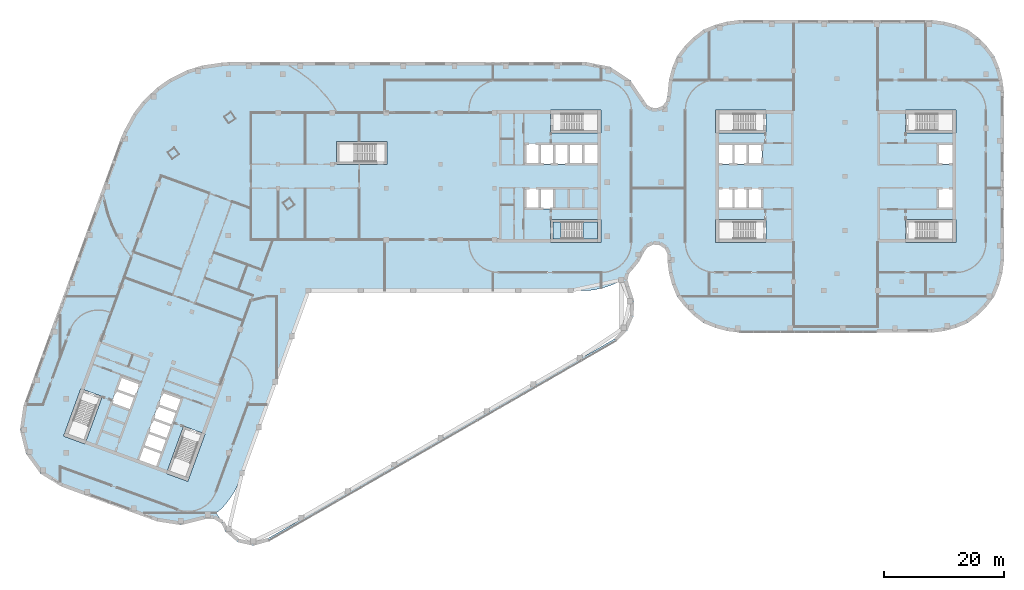
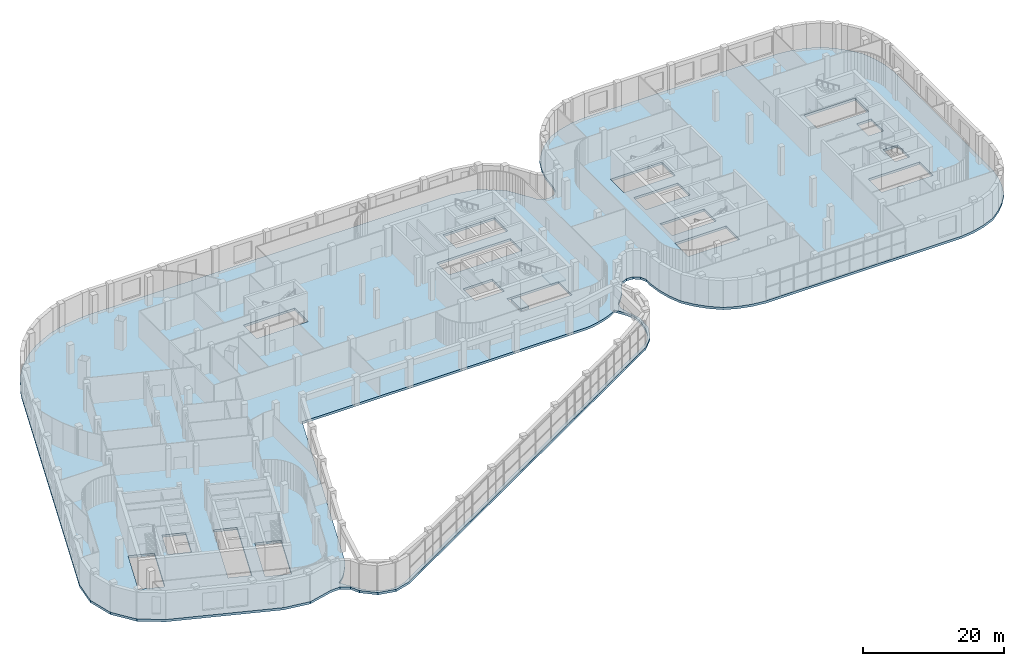
# One storey, part 8 of 25: 3 slabs, 1 element without a shape of its own.
"""IFC4 building model written with IfcOpenShell, lengths in metres."""

from ifc_helpers import new_model, si_unit, direction, frame, origin, place, context, subcontext, project, spatial, polyline, outline, extrude, material, layer, layer_set, type_object, element, aggregate, save


model = new_model("IFC4")

# Units and contexts
model_context = context("Model", 3, precision=1e-05, world=origin(), true_north=direction((0.0, 1.0)))
body_context = subcontext(model_context, "Body", "Model", "MODEL_VIEW")
ifc_project = project(units=[si_unit("LENGTHUNIT", "METRE"), si_unit("AREAUNIT", "SQUARE_METRE"), si_unit("VOLUMEUNIT", "CUBIC_METRE"), si_unit("PLANEANGLEUNIT", "RADIAN"), si_unit("MASSUNIT", "GRAM", prefix="KILO")], contexts=[model_context])

# Site, building, storey
site_placement = place(None, origin())
site = spatial("IfcSite", under=ifc_project, at=site_placement, CompositionType="ELEMENT")
building_placement = place(site_placement, origin())
building = spatial("IfcBuilding", under=site, at=building_placement, Name="Skarvind Civic Tower", CompositionType="ELEMENT")
storey_placement = place(building_placement, frame((0.0, 0.0, 7.5)))
storey = spatial("IfcBuildingStorey", under=building, at=storey_placement, Name="L01", CompositionType="ELEMENT", Elevation=7.5)

# Slabs
ifc_material_1 = material(Name="Concrete C50", Category="concrete")
ifc_layer_1 = layer(ifc_material_1, 0.39990234375)
ifc_layer_set_1 = layer_set([ifc_layer_1], Name="Podium floor slab 400 C50")
slab_type_1 = type_object("IfcSlabType", Name="Podium floor slab 400 C50", PredefinedType="FLOOR", material=ifc_layer_set_1)
slab_1_placement = place(storey_placement, frame((0.0, 0.0, -0.39990234375)))
element("IfcSlab", 1, at=slab_1_placement, inside=storey, type_object=slab_type_1, Name="Podium floor slab L01 1", PredefinedType="FLOOR", context=body_context, shape_type="SweptSolid", body=[
    extrude(outline(polyline([(52.751220703125, 67.291015625), (110.5869140625, 100.577880859375), (112.365234375, 102.4130859375), (113.374267578125, 104.760986328125), (113.4814453125, 107.314208984375), (112.6728515625, 109.73828125), (112.37109375, 110.751953125), (112.6005859375, 111.7841796875), (113.303466796875, 112.57470703125), (114.366455078125, 113.885009765625), (115.1328125, 115.388427734375), (115.75048828125, 116.2119140625), (116.6904296875, 116.63232421875), (117.716064453125, 116.54345703125), (118.56982421875, 115.968017578125), (119.036865234375, 115.05078125), (119.0, 114.021728515625), (119.2783203125, 111.908447265625), (119.8017578125, 109.95458984375), (120.610107421875, 108.001220703125), (121.897705078125, 106.32470703125), (123.32470703125, 104.897705078125), (125.001220703125, 103.610107421875), (126.95458984375, 102.8017578125), (128.908447265625, 102.2783203125), (131.021728515625, 102.0), (162.978271484375, 102.0), (165.091552734375, 102.2783203125), (167.04541015625, 102.8017578125), (168.998779296875, 103.610107421875), (170.67529296875, 104.897705078125), (172.102294921875, 106.32470703125), (173.389892578125, 108.001220703125), (174.1982421875, 109.95458984375), (174.7216796875, 111.908447265625), (175.0, 114.021728515625), (175.0, 141.978271484375), (174.7216796875, 144.091552734375), (174.1982421875, 146.04541015625), (173.389892578125, 147.998779296875), (172.102294921875, 149.67529296875), (170.67529296875, 151.102294921875), (168.998779296875, 152.389892578125), (167.04541015625, 153.1982421875), (165.091552734375, 153.7216796875), (162.978271484375, 154.0), (131.021728515625, 154.0), (128.908447265625, 153.7216796875), (126.95458984375, 153.1982421875), (125.001220703125, 152.389892578125), (123.32470703125, 151.102294921875), (121.897705078125, 149.67529296875), (120.610107421875, 147.998779296875), (119.8017578125, 146.04541015625), (119.2783203125, 144.091552734375), (119.0, 141.328369140625), (118.785400390625, 140.427490234375), (118.18798828125, 139.7197265625), (117.336181640625, 139.356689453125), (116.411865234375, 139.41650390625), (115.613525390625, 139.885986328125), (115.1123046875, 140.664794921875), (112.829345703125, 144.004638671875), (109.44921875, 146.227294921875), (105.478271484375, 147.0), (46.114013671875, 147.0), (44.900390625, 146.910400390625), (41.58837890625, 146.417724609375), (39.1904296875, 145.67041015625), (36.191162109375, 144.19775390625), (34.1337890625, 142.757080078125), (31.72412109375, 140.442626953125), (30.201904296875, 138.44482421875), (28.606201171875, 135.5009765625), (28.10693359375, 134.391357421875), (11.9072265625, 89.883544921875), (11.325439453125, 85.83349609375), (12.311279296875, 81.862548828125), (14.719482421875, 78.554931640625), (18.19580078125, 76.3974609375), (34.129638671875, 70.59814453125), (38.114990234375, 69.990478515625), (42.026611328125, 70.964111328125), (43.532470703125, 71.034423828125), (44.827880859375, 70.263916015625), (45.484619140625, 68.9072265625), (47.523193359375, 67.14111328125), (50.15625, 66.555419921875), (52.751220703125, 67.291015625)]), holes=[polyline([(33.446044921875, 87.660888671875), (34.26708984375, 89.916259765625), (35.087890625, 92.17138671875), (38.28271484375, 91.008544921875), (37.4619140625, 88.75341796875), (36.64111328125, 86.498046875), (35.8203125, 84.242919921875), (35.8203125, 84.242919921875), (34.99951171875, 81.987548828125), (34.178466796875, 79.732421875), (30.983642578125, 80.89501953125), (31.804443359375, 83.150390625), (32.625244140625, 85.40576171875), (32.625244140625, 85.40576171875), (33.446044921875, 87.660888671875)]), polyline([(35.664794921875, 78.552734375), (38.53759765625, 86.4462890625), (42.108642578125, 85.146484375), (39.235595703125, 77.253173828125), (35.664794921875, 78.552734375)]), polyline([(18.5625, 84.777587890625), (21.435302734375, 92.6708984375), (25.006103515625, 91.371337890625), (22.13330078125, 83.477783203125), (18.5625, 84.777587890625)]), polyline([(113.094482421875, 106.90234375), (113.09228515625, 106.4287109375), (113.044921875, 105.95751953125), (112.9130859375, 105.0693359375), (112.8173828125, 104.588134765625), (112.704345703125, 104.13623046875), (112.55810546875, 103.65625), (112.364501953125, 103.193359375), (112.12548828125, 102.752197265625), (111.843505859375, 102.337158203125), (111.521484375, 101.952392578125), (111.162353515625, 101.60205078125), (110.77001953125, 101.289306640625), (110.348388671875, 101.017578125), (52.4912109375, 67.71826171875), (52.051513671875, 67.493408203125), (51.591796875, 67.31298828125), (51.116455078125, 67.1787109375), (50.63037109375, 67.092041015625), (50.137939453125, 67.0537109375), (49.644287109375, 67.064208984375), (49.15380859375, 67.123291015625), (48.671875, 67.230712890625), (48.20263671875, 67.384765625), (47.7509765625, 67.584716796875), (47.3212890625, 67.827880859375), (46.917724609375, 68.112548828125), (46.544189453125, 68.435546875), (46.2041015625, 68.793701171875), (45.9013671875, 69.183837890625), (43.931396484375, 71.9970703125), (44.162841796875, 72.1533203125), (44.804443359375, 72.69140625), (45.385986328125, 73.293701171875), (45.901611328125, 73.95361328125), (46.643798828125, 75.013916015625), (47.018798828125, 75.602294921875), (47.341064453125, 76.221435546875), (47.608154296875, 76.8662109375), (59.303955078125, 109.0), (105.5, 109.0), (106.197265625, 109.030517578125), (106.88916015625, 109.12158203125), (107.570556640625, 109.272705078125), (108.820556640625, 109.607421875), (109.616943359375, 109.8662109375), (110.3818359375, 110.206787109375), (111.107177734375, 110.62548828125), (111.3330078125, 110.789794921875), (112.19482421875, 109.558837890625), (112.44775390625, 109.158447265625), (112.661865234375, 108.73583984375), (112.834716796875, 108.294921875), (112.96533203125, 107.839599609375), (113.05224609375, 107.3740234375), (113.094482421875, 106.90234375)]), polyline([(31.3291015625, 93.53955078125), (30.50830078125, 91.2841796875), (29.6875, 89.029052734375), (26.492431640625, 90.19189453125), (27.313232421875, 92.447021484375), (28.134033203125, 94.702392578125), (31.3291015625, 93.53955078125)]), polyline([(100.199951171875, 122.60009765625), (97.800048828125, 122.60009765625), (95.39990234375, 122.60009765625), (95.39990234375, 126.0), (97.800048828125, 126.0), (100.199951171875, 126.0), (100.199951171875, 122.60009765625)]), polyline([(102.60009765625, 133.39990234375), (105.0, 133.39990234375), (107.39990234375, 133.39990234375), (107.39990234375, 130.0), (105.0, 130.0), (102.60009765625, 130.0), (100.199951171875, 130.0), (97.800048828125, 130.0), (95.39990234375, 130.0), (95.39990234375, 133.39990234375), (97.800048828125, 133.39990234375), (100.199951171875, 133.39990234375), (102.60009765625, 133.39990234375)]), polyline([(64.0, 133.800048828125), (72.39990234375, 133.800048828125), (72.39990234375, 130.0), (64.0, 130.0), (64.0, 133.800048828125)]), polyline([(108.0, 117.0), (99.60009765625, 117.0), (99.60009765625, 120.800048828125), (108.0, 120.800048828125), (108.0, 117.0)]), polyline([(127.0, 120.800048828125), (135.39990234375, 120.800048828125), (135.39990234375, 117.0), (127.0, 117.0), (127.0, 120.800048828125)]), polyline([(167.0, 117.0), (158.60009765625, 117.0), (158.60009765625, 120.800048828125), (167.0, 120.800048828125), (167.0, 117.0)]), polyline([(130.0, 126.0), (132.39990234375, 126.0), (134.800048828125, 126.0), (134.800048828125, 122.60009765625), (132.39990234375, 122.60009765625), (130.0, 122.60009765625), (127.60009765625, 122.60009765625), (127.60009765625, 126.0), (130.0, 126.0)]), polyline([(166.39990234375, 122.60009765625), (164.0, 122.60009765625), (164.0, 126.0), (166.39990234375, 126.0), (166.39990234375, 122.60009765625)]), polyline([(134.800048828125, 130.0), (132.39990234375, 130.0), (130.0, 130.0), (127.60009765625, 130.0), (127.60009765625, 133.39990234375), (130.0, 133.39990234375), (132.39990234375, 133.39990234375), (134.800048828125, 133.39990234375), (134.800048828125, 130.0)]), polyline([(166.39990234375, 130.0), (164.0, 130.0), (164.0, 133.39990234375), (166.39990234375, 133.39990234375), (166.39990234375, 130.0)]), polyline([(108.0, 135.199951171875), (99.60009765625, 135.199951171875), (99.60009765625, 139.0), (108.0, 139.0), (108.0, 135.199951171875)]), polyline([(127.0, 139.0), (135.39990234375, 139.0), (135.39990234375, 135.199951171875), (127.0, 135.199951171875), (127.0, 139.0)]), polyline([(167.0, 135.199951171875), (158.60009765625, 135.199951171875), (158.60009765625, 139.0), (167.0, 139.0), (167.0, 135.199951171875)])]), origin(), (0.0, 0.0, 1.0), 0.39990234375),
])
ifc_material_2 = material(Name="Concrete C40/50", Category="concrete")
ifc_layer_2 = layer(ifc_material_2, 0.39990234375)
ifc_layer_set_2 = layer_set([ifc_layer_2], Name="Stair floor landing slab 400")
slab_type_2 = type_object("IfcSlabType", Name="Stair floor landing slab 400", PredefinedType="LANDING", material=ifc_layer_set_2)
slab_2_placement = place(storey_placement, frame((0.0, 0.0, -0.39990234375)))
element("IfcSlab", 2, at=slab_2_placement, inside=storey, type_object=slab_type_2, Name="Stair floor landing", PredefinedType="LANDING", context=body_context, shape_type="SweptSolid", body=[
    extrude(outline(polyline([(101.3505859375, 120.400634765625), (101.3505859375, 117.599365234375), (99.99951171875, 117.599365234375), (99.99951171875, 120.400634765625), (101.3505859375, 120.400634765625)])), origin(), (0.0, 0.0, 1.0), 0.39990234375),
])

# Stair, slab
stair_type = type_object("IfcStairType", Name="Exit stair, half-turn, concrete", PredefinedType="HALF_TURN_STAIR", material=ifc_material_2)
stair_placement = place(storey_placement, origin())
stair = element("IfcStair", 3, at=stair_placement, inside=storey, type_object=stair_type, Name="Exit stair C1N", PredefinedType="HALF_TURN_STAIR")
ifc_layer_3 = layer(ifc_material_2, 0.199951171875)
ifc_layer_set_3 = layer_set([ifc_layer_3], Name="Stair half landing slab")
slab_type_3 = type_object("IfcSlabType", Name="Stair half landing slab", PredefinedType="LANDING", material=ifc_layer_set_3)
slab_3_placement = place(storey_placement, frame((0.0, 0.0, 2.300048828125)))
slab_3 = element("IfcSlab", 4, at=slab_3_placement, type_object=slab_type_3, Name="ST-C1N landing 1", PredefinedType="LANDING", context=body_context, shape_type="SweptSolid", body=[
    extrude(outline(polyline([(104.989501953125, 117.599365234375), (104.989501953125, 120.400634765625), (107.400634765625, 120.400634765625), (107.400634765625, 117.599365234375), (104.989501953125, 117.599365234375)])), origin(), (0.0, 0.0, 1.0), 0.199951171875),
])
aggregate(stair, [slab_3])

save(model, "model.ifc")
